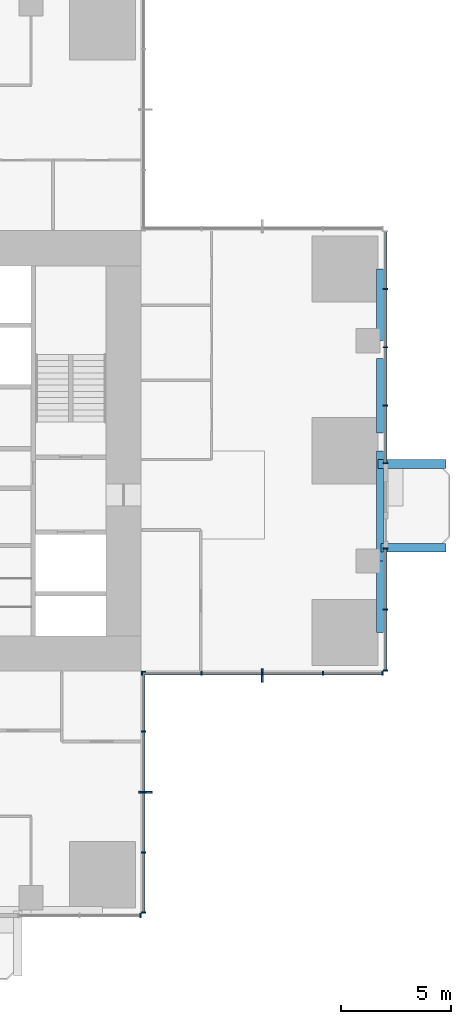
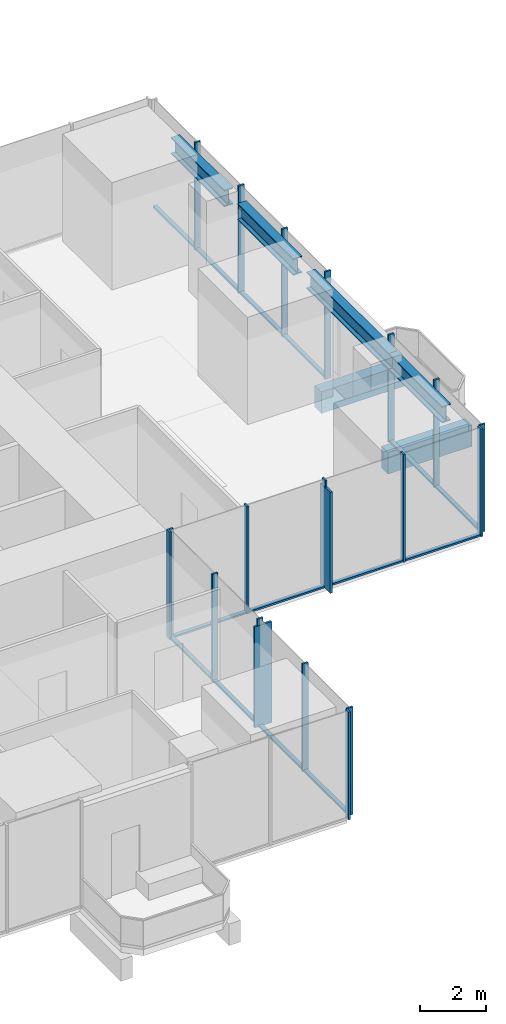
# One storey, part 4 of 13: 34 members, 6 beams, 5 elements without a shape of their own.
"""IFC4 building model written with IfcOpenShell, lengths in metres."""

import ifcopenshell
import ifcopenshell.guid

model = None  # the IFC model being written
_history = None  # IfcOwnerHistory: only IFC2X3 demands one
_inside = {}  # id of a spatial element -> (the spatial element, [elements in it])
_under = {}  # id of a project, library or spatial element -> (it, [spatial elements below it])
_declared = {}  # id of a project -> (the project, [libraries it declares])
_typed = {}  # id of a type object -> (the type object, [elements of that type])
_made_of = {}  # id of a material, layer set ... -> (it, [elements and type objects made of it])


def new_model(schema):
    """Start an empty IFC model of exactly this schema.

    Asked for "IFC4X3", IfcOpenShell would pick the latest addendum, in which some entities
    have other attributes; the version numbers below select the first issue.
    IFC2X3 requires an IfcOwnerHistory on every rooted entity: one is made here for all.
    """
    global model, _history
    if schema == "IFC4X3":
        model = ifcopenshell.file(schema_version=(4, 3, 0, 0))
    else:
        model = ifcopenshell.file(schema=schema)
    _inside.clear()
    _under.clear()
    _declared.clear()
    _typed.clear()
    _made_of.clear()
    _history = None
    if model.schema == "IFC2X3":
        org = make("IfcOrganization", Name="unknown")
        user = make(
            "IfcPersonAndOrganization",
            ThePerson=make("IfcPerson", FamilyName="unknown"),
            TheOrganization=org,
        )
        app = make(
            "IfcApplication",
            ApplicationDeveloper=org,
            Version="unknown",
            ApplicationFullName="unknown",
            ApplicationIdentifier="unknown",
        )
        _history = make(
            "IfcOwnerHistory",
            OwningUser=user,
            OwningApplication=app,
            ChangeAction="ADDED",
            CreationDate=0,
        )
    return model


def make(cls, **values):
    """One entity of the class cls with the attributes given. An attribute that is None is left unset."""
    return model.create_entity(
        cls, **{name: value for name, value in values.items() if value is not None}
    )


def rooted(cls, **values):
    """An entity with a GlobalId (a new one), such as an element, a storey or a relation."""
    return make(cls, GlobalId=ifcopenshell.guid.new(), OwnerHistory=_history, **values)


def si_unit(unit_type, name, prefix=None):
    """IfcSIUnit, for example si_unit("LENGTHUNIT", "METRE", prefix="MILLI")."""
    return make("IfcSIUnit", UnitType=unit_type, Prefix=prefix, Name=name)


def assignment(units):
    """IfcUnitAssignment: the units of a project."""
    return None if units is None else make("IfcUnitAssignment", Units=units)


def point(xyz):
    """IfcCartesianPoint."""
    return None if xyz is None else make("IfcCartesianPoint", Coordinates=xyz)


def direction(xyz):
    """IfcDirection."""
    return None if xyz is None else make("IfcDirection", DirectionRatios=xyz)


def frame(location, z_axis=None, x_axis=None):
    """IfcAxis2Placement3D, a coordinate frame: its origin and axes. An axis left out is left unset."""
    return make(
        "IfcAxis2Placement3D",
        Location=point(location),
        Axis=direction(z_axis),
        RefDirection=direction(x_axis),
    )


def frame_2d(location, x_axis=None):
    """IfcAxis2Placement2D, a coordinate frame in the plane: its origin and x axis."""
    return make(
        "IfcAxis2Placement2D", Location=point(location), RefDirection=direction(x_axis)
    )


def origin():
    """The frame at (0, 0, 0) with its axes left unset."""
    return frame((0.0, 0.0, 0.0))


def origin_2d():
    """The frame at (0, 0) in the plane with its x axis left unset."""
    return frame_2d((0.0, 0.0))


def place(relative_to, where):
    """IfcLocalPlacement: puts the frame where relative to a parent placement (None: the world)."""
    return make(
        "IfcLocalPlacement", PlacementRelTo=relative_to, RelativePlacement=where
    )


def context(
    kind, dimensions, precision=None, world=None, true_north=None, identifier=None
):
    """IfcGeometricRepresentationContext, for example the 3D "Model" context."""
    return make(
        "IfcGeometricRepresentationContext",
        ContextIdentifier=identifier,
        ContextType=kind,
        CoordinateSpaceDimension=dimensions,
        Precision=precision,
        WorldCoordinateSystem=world,
        TrueNorth=true_north,
    )


def subcontext(parent, identifier, kind, view, scale=None):
    """IfcGeometricRepresentationSubContext, for example "Body" below "Model"."""
    return make(
        "IfcGeometricRepresentationSubContext",
        ContextIdentifier=identifier,
        ContextType=kind,
        ParentContext=parent,
        TargetScale=scale,
        TargetView=view,
    )


def project(units=None, contexts=None):
    """IfcProject with its units and contexts."""
    return rooted(
        "IfcProject",
        Name="project",
        RepresentationContexts=contexts,
        UnitsInContext=assignment(units),
    )


def spatial(cls, under=None, at=None, **own):
    """A site, building, storey or space (cls), placed at a placement, below another one or the project."""
    s = rooted(cls, ObjectPlacement=at, **own)
    if under is not None:
        _under.setdefault(under.id(), (under, []))[1].append(s)
    return s


def profile(cls, at=None, kind="AREA", **sizes):
    """A parametric profile (cls). Its sizes go by their IFC names, for example OverallWidth=200.0."""
    return make(cls, ProfileType=kind, Position=at, **sizes)


def rectangle(**sizes):
    """IfcRectangleProfileDef."""
    return profile("IfcRectangleProfileDef", **sizes)


def i_section(**sizes):
    """IfcIShapeProfileDef."""
    return profile("IfcIShapeProfileDef", **sizes)


def extrude(swept, where, along, depth):
    """IfcExtrudedAreaSolid: the profile swept, set in the frame where, extruded along a direction by depth."""
    return make(
        "IfcExtrudedAreaSolid",
        SweptArea=swept,
        Position=where,
        ExtrudedDirection=direction(along),
        Depth=depth,
    )


def shape(context_of_items, identifier, shape_type, items):
    """IfcShapeRepresentation: the items that make up one representation, for example the "Body"."""
    return make(
        "IfcShapeRepresentation",
        ContextOfItems=context_of_items,
        RepresentationIdentifier=identifier,
        RepresentationType=shape_type,
        Items=items,
    )


def material(Name=None, Category=None):
    """IfcMaterial."""
    return make("IfcMaterial", Name=Name, Category=Category)


def material_profile(
    of_material, cross_section, Name=None, Category=None, Priority=None
):
    """IfcMaterialProfile: a cross section and its material."""
    return make(
        "IfcMaterialProfile",
        Name=Name,
        Material=of_material,
        Profile=cross_section,
        Priority=Priority,
        Category=Category,
    )


def profile_set(profiles, Name=None, composite=None):
    """IfcMaterialProfileSet."""
    return make(
        "IfcMaterialProfileSet",
        Name=Name,
        MaterialProfiles=profiles,
        CompositeProfile=composite,
    )


def made_of(thing, what):
    """Note that an element or type object is made of a material, layer set ...; save() writes the relation."""
    if what is not None:
        _made_of.setdefault(what.id(), (what, []))[1].append(thing)
    return thing


def type_object(cls, material=None, **own):
    """A type object (cls), such as IfcWallType, which elements share."""
    return made_of(rooted(cls, **own), material)


def element(
    cls,
    number,
    at=None,
    inside=None,
    cuts=None,
    type_object=None,
    material=None,
    context=None,
    identifier="Body",
    shape_type=None,
    held_by="IfcProductDefinitionShape",
    body=None,
    shapes=None,
    **own,
):
    """One element of the class cls, such as IfcWall. Its Tag is "e" and its number.

    at: its placement. inside: the storey or other place that contains it. cuts: it is an
    opening in that element (IfcRelVoidsElement). A single representation is given by context,
    identifier, shape_type and body (its items); several are given by shapes. held_by: the class
    of the entity that holds the representations. save() writes the other relations.
    """
    e = rooted(cls, Tag="e%d" % number, ObjectPlacement=at, **own)
    if body is not None:
        shapes = [shape(context, identifier, shape_type, body)]
    if shapes is not None:
        e.Representation = make(held_by, Representations=shapes)
    if inside is not None:
        _inside.setdefault(inside.id(), (inside, []))[1].append(e)
    if cuts is not None:
        rooted(
            "IfcRelVoidsElement", RelatingBuildingElement=cuts, RelatedOpeningElement=e
        )
    if type_object is not None:
        _typed.setdefault(type_object.id(), (type_object, []))[1].append(e)
    return made_of(e, material)


def aggregate(whole, parts):
    """IfcRelAggregates: a whole, such as a stair, and the parts it consists of."""
    return rooted("IfcRelAggregates", RelatingObject=whole, RelatedObjects=parts)


def save(model, path):
    """Write the relations noted so far, then the file.

    IfcRelAggregates (storeys below a building ...), IfcRelContainedInSpatialStructure (elements
    in a storey), IfcRelDefinesByType, IfcRelAssociatesMaterial and IfcRelDeclares: one each for
    every whole, place, type object, material and project.
    """
    for whole, parts in _under.values():
        aggregate(whole, parts)
    for where, things in _inside.values():
        rooted(
            "IfcRelContainedInSpatialStructure",
            RelatedElements=things,
            RelatingStructure=where,
        )
    for kind, things in _typed.values():
        rooted("IfcRelDefinesByType", RelatedObjects=things, RelatingType=kind)
    for what, things in _made_of.values():
        rooted("IfcRelAssociatesMaterial", RelatedObjects=things, RelatingMaterial=what)
    for by, libraries in _declared.values():
        rooted("IfcRelDeclares", RelatingContext=by, RelatedDefinitions=libraries)
    model.write(path)


model = new_model("IFC4")

# Units and contexts
model_context = context("Model", 3, precision=1e-05, world=origin(), true_north=direction((0.0, 1.0)))
body_context = subcontext(model_context, "Body", "Model", "MODEL_VIEW")
ifc_project = project(units=[si_unit("LENGTHUNIT", "METRE"), si_unit("AREAUNIT", "SQUARE_METRE"), si_unit("VOLUMEUNIT", "CUBIC_METRE"), si_unit("PLANEANGLEUNIT", "RADIAN"), si_unit("MASSUNIT", "GRAM", prefix="KILO")], contexts=[model_context])

# Site, building, storey
site_placement = place(None, origin())
site = spatial("IfcSite", under=ifc_project, at=site_placement, CompositionType="ELEMENT")
building_placement = place(site_placement, origin())
building = spatial("IfcBuilding", under=site, at=building_placement, Name="Svetlomir Tower", CompositionType="ELEMENT")
storey_placement = place(building_placement, frame((0.0, 0.0, 128.5)))
storey = spatial("IfcBuildingStorey", under=building, at=storey_placement, Name="L30", CompositionType="ELEMENT", Elevation=128.5)

# Beams
ifc_material_1 = material(Name="Concrete C60/75", Category="concrete")
ifc_material_profile_1 = material_profile(ifc_material_1, rectangle(XDim=0.39990234375, YDim=0.800048828125, at=origin_2d()), Name="RC 400x800")
ifc_profile_set_1 = profile_set([ifc_material_profile_1], Name="Concrete C60/75")
beam_type_1 = type_object("IfcBeamType", Name="BALCONY RIB RC 400x800", PredefinedType="BEAM", material=ifc_profile_set_1)
beam_1_placement = place(storey_placement, frame((41.89990234375, 16.60009765625, -0.64990234375), z_axis=(1.0, 0.0, 0.0), x_axis=(0.0, 1.0, 0.0)))
element("IfcBeam", 1, at=beam_1_placement, inside=storey, type_object=beam_type_1, Name="Balcony rib E 1 L30", PredefinedType="BEAM", context=body_context, shape_type="SweptSolid", body=[
    extrude(rectangle(XDim=0.39990234375, YDim=0.800048828125, at=origin_2d()), origin(), (0.0, 0.0, 1.0), 2.9501953125),
])
beam_2_placement = place(storey_placement, frame((41.75, 20.39990234375, -0.64990234375), z_axis=(1.0, 0.0, 0.0), x_axis=(0.0, 1.0, 0.0)))
element("IfcBeam", 2, at=beam_2_placement, inside=storey, type_object=beam_type_1, Name="Balcony rib E 2 L30", PredefinedType="BEAM", context=body_context, shape_type="SweptSolid", body=[
    extrude(rectangle(XDim=0.39990234375, YDim=0.800048828125, at=origin_2d()), origin(), (0.0, 0.0, 1.0), 3.10009765625),
])

# Curtain wall, member
ifc_material_2 = material(Name="Bronze anodised aluminium curtain wall", Category="aluminium")
curtain_wall_type = type_object("IfcCurtainWallType", Name="CURTAIN WALL CW1 TOWER OFFICE", PredefinedType="NOTDEFINED", material=ifc_material_2)
curtain_wall_1_placement = place(storey_placement, origin())
curtain_wall_1 = element("IfcCurtainWall", 3, at=curtain_wall_1_placement, inside=storey, type_object=curtain_wall_type, Name="Curtain wall CW1 L30", PredefinedType="NOTDEFINED")
ifc_material_3 = material(Name="Bronze anodised aluminium", Category="aluminium")
ifc_material_profile_2 = material_profile(ifc_material_3, rectangle(XDim=0.080078125, YDim=0.60009765625, at=origin_2d()), Name="FIN 80x600")
ifc_profile_set_2 = profile_set([ifc_material_profile_2], Name="Bronze anodised aluminium 6063-T6")
member_type_1 = type_object("IfcMemberType", Name="BRONZE FIN 80x600", PredefinedType="USERDEFINED", material=ifc_profile_set_2)
member_1_placement = place(storey_placement, frame((31.199951171875, 5.5, 0.0), z_axis=(0.0, 0.0, 1.0), x_axis=(0.0, 1.0, 0.0)))
member_1 = element("IfcMember", 4, at=member_1_placement, type_object=member_type_1, Name="Bronze fin L30", ObjectType="FIN", PredefinedType="USERDEFINED", context=body_context, shape_type="SweptSolid", body=[
    extrude(rectangle(XDim=0.080078125, YDim=0.60009765625, at=origin_2d()), origin(), (0.0, 0.0, 1.0), 3.75),
])

curtain_wall_2_placement = place(storey_placement, origin())
curtain_wall_2 = element("IfcCurtainWall", 5, at=curtain_wall_2_placement, inside=storey, type_object=curtain_wall_type, Name="Curtain wall CW1 L30", PredefinedType="NOTDEFINED")
member_2_placement = place(storey_placement, frame((36.5, 10.800048828125, 0.0), z_axis=(0.0, 0.0, 1.0), x_axis=(1.0, 0.0, 0.0)))
member_2 = element("IfcMember", 6, at=member_2_placement, type_object=member_type_1, Name="Bronze fin L30", ObjectType="FIN", PredefinedType="USERDEFINED", context=body_context, shape_type="SweptSolid", body=[
    extrude(rectangle(XDim=0.080078125, YDim=0.60009765625, at=origin_2d()), origin(), (0.0, 0.0, 1.0), 3.75),
])

curtain_wall_3_placement = place(storey_placement, origin())
curtain_wall_3 = element("IfcCurtainWall", 7, at=curtain_wall_3_placement, inside=storey, type_object=curtain_wall_type, Name="Curtain wall CW1 L30", PredefinedType="NOTDEFINED")
ifc_material_4 = material(Name="Bronze anodised aluminium", Category="aluminium")
ifc_material_profile_3 = material_profile(ifc_material_4, rectangle(XDim=0.06494140625, YDim=0.199951171875, at=origin_2d()), Name="AL 65x200")
ifc_profile_set_3 = profile_set([ifc_material_profile_3], Name="Bronze anodised aluminium 6063-T6")
member_type_2 = type_object("IfcMemberType", Name="CW1 MULLION 65x200", PredefinedType="MULLION", material=ifc_profile_set_3)
member_3_placement = place(storey_placement, frame((30.967529296875, -0.10009765625, 0.0), z_axis=(0.0, 0.0, 1.0), x_axis=(1.0, 0.0, 0.0)))
member_3 = element("IfcMember", 8, at=member_3_placement, type_object=member_type_2, Name="CW1 mullion 3", PredefinedType="MULLION", context=body_context, shape_type="SweptSolid", body=[
    extrude(rectangle(XDim=0.06494140625, YDim=0.199951171875, at=origin_2d()), origin(), (0.0, 0.0, 1.0), 4.0),
])
aggregate(curtain_wall_3, [member_3])

# Member
member_4_placement = place(storey_placement, frame((31.10009765625, 0.032470703125, 0.0), z_axis=(0.0, 0.0, 1.0), x_axis=(0.0, 1.0, 0.0)))
member_4 = element("IfcMember", 9, at=member_4_placement, type_object=member_type_2, Name="CW1 mullion 1", PredefinedType="MULLION", context=body_context, shape_type="SweptSolid", body=[
    extrude(rectangle(XDim=0.06494140625, YDim=0.199951171875, at=origin_2d()), origin(), (0.0, 0.0, 1.0), 4.0),
])

member_5_placement = place(storey_placement, frame((31.10009765625, 2.75, 0.0), z_axis=(0.0, 0.0, 1.0), x_axis=(0.0, 1.0, 0.0)))
member_5 = element("IfcMember", 10, at=member_5_placement, type_object=member_type_2, Name="CW1 mullion 2", PredefinedType="MULLION", context=body_context, shape_type="SweptSolid", body=[
    extrude(rectangle(XDim=0.06494140625, YDim=0.199951171875, at=origin_2d()), origin(), (0.0, 0.0, 1.0), 4.0),
])

member_6_placement = place(storey_placement, frame((31.10009765625, 5.5, 0.0), z_axis=(0.0, 0.0, 1.0), x_axis=(0.0, 1.0, 0.0)))
member_6 = element("IfcMember", 11, at=member_6_placement, type_object=member_type_2, Name="CW1 mullion 3", PredefinedType="MULLION", context=body_context, shape_type="SweptSolid", body=[
    extrude(rectangle(XDim=0.06494140625, YDim=0.199951171875, at=origin_2d()), origin(), (0.0, 0.0, 1.0), 4.0),
])

member_7_placement = place(storey_placement, frame((31.10009765625, 8.25, 0.0), z_axis=(0.0, 0.0, 1.0), x_axis=(0.0, 1.0, 0.0)))
member_7 = element("IfcMember", 12, at=member_7_placement, type_object=member_type_2, Name="CW1 mullion 4", PredefinedType="MULLION", context=body_context, shape_type="SweptSolid", body=[
    extrude(rectangle(XDim=0.06494140625, YDim=0.199951171875, at=origin_2d()), origin(), (0.0, 0.0, 1.0), 4.0),
])

member_8_placement = place(storey_placement, frame((31.10009765625, 10.967529296875, 0.0), z_axis=(0.0, 0.0, 1.0), x_axis=(0.0, 1.0, 0.0)))
member_8 = element("IfcMember", 13, at=member_8_placement, type_object=member_type_2, Name="CW1 mullion 5", PredefinedType="MULLION", context=body_context, shape_type="SweptSolid", body=[
    extrude(rectangle(XDim=0.06494140625, YDim=0.199951171875, at=origin_2d()), origin(), (0.0, 0.0, 1.0), 4.0),
])

member_9_placement = place(storey_placement, frame((31.032470703125, 10.89990234375, 0.0), z_axis=(0.0, 0.0, 1.0), x_axis=(1.0, 0.0, 0.0)))
member_9 = element("IfcMember", 14, at=member_9_placement, type_object=member_type_2, Name="CW1 mullion 1", PredefinedType="MULLION", context=body_context, shape_type="SweptSolid", body=[
    extrude(rectangle(XDim=0.06494140625, YDim=0.199951171875, at=origin_2d()), origin(), (0.0, 0.0, 1.0), 4.0),
])

member_10_placement = place(storey_placement, frame((33.75, 10.89990234375, 0.0), z_axis=(0.0, 0.0, 1.0), x_axis=(1.0, 0.0, 0.0)))
member_10 = element("IfcMember", 15, at=member_10_placement, type_object=member_type_2, Name="CW1 mullion 2", PredefinedType="MULLION", context=body_context, shape_type="SweptSolid", body=[
    extrude(rectangle(XDim=0.06494140625, YDim=0.199951171875, at=origin_2d()), origin(), (0.0, 0.0, 1.0), 4.0),
])

member_11_placement = place(storey_placement, frame((36.5, 10.89990234375, 0.0), z_axis=(0.0, 0.0, 1.0), x_axis=(1.0, 0.0, 0.0)))
member_11 = element("IfcMember", 16, at=member_11_placement, type_object=member_type_2, Name="CW1 mullion 3", PredefinedType="MULLION", context=body_context, shape_type="SweptSolid", body=[
    extrude(rectangle(XDim=0.06494140625, YDim=0.199951171875, at=origin_2d()), origin(), (0.0, 0.0, 1.0), 4.0),
])

member_12_placement = place(storey_placement, frame((39.25, 10.89990234375, 0.0), z_axis=(0.0, 0.0, 1.0), x_axis=(1.0, 0.0, 0.0)))
member_12 = element("IfcMember", 17, at=member_12_placement, type_object=member_type_2, Name="CW1 mullion 4", PredefinedType="MULLION", context=body_context, shape_type="SweptSolid", body=[
    extrude(rectangle(XDim=0.06494140625, YDim=0.199951171875, at=origin_2d()), origin(), (0.0, 0.0, 1.0), 4.0),
])

member_13_placement = place(storey_placement, frame((41.967529296875, 10.89990234375, 0.0), z_axis=(0.0, 0.0, 1.0), x_axis=(1.0, 0.0, 0.0)))
member_13 = element("IfcMember", 18, at=member_13_placement, type_object=member_type_2, Name="CW1 mullion 5", PredefinedType="MULLION", context=body_context, shape_type="SweptSolid", body=[
    extrude(rectangle(XDim=0.06494140625, YDim=0.199951171875, at=origin_2d()), origin(), (0.0, 0.0, 1.0), 4.0),
])

# Curtain wall, members
curtain_wall_4_placement = place(storey_placement, origin())
curtain_wall_4 = element("IfcCurtainWall", 19, at=curtain_wall_4_placement, inside=storey, type_object=curtain_wall_type, Name="Curtain wall CW1 L30", PredefinedType="NOTDEFINED")
member_14_placement = place(storey_placement, frame((42.10009765625, 11.032470703125, 0.0), z_axis=(0.0, 0.0, 1.0), x_axis=(0.0, 1.0, 0.0)))
member_14 = element("IfcMember", 20, at=member_14_placement, type_object=member_type_2, Name="CW1 mullion 1", PredefinedType="MULLION", context=body_context, shape_type="SweptSolid", body=[
    extrude(rectangle(XDim=0.06494140625, YDim=0.199951171875, at=origin_2d()), origin(), (0.0, 0.0, 1.0), 4.0),
])
member_15_placement = place(storey_placement, frame((42.10009765625, 13.800048828125, 0.0), z_axis=(0.0, 0.0, 1.0), x_axis=(0.0, 1.0, 0.0)))
member_15 = element("IfcMember", 21, at=member_15_placement, type_object=member_type_2, Name="CW1 mullion 2", PredefinedType="MULLION", context=body_context, shape_type="SweptSolid", body=[
    extrude(rectangle(XDim=0.06494140625, YDim=0.199951171875, at=origin_2d()), origin(), (0.0, 0.0, 1.0), 4.0),
])
member_16_placement = place(storey_placement, frame((42.10009765625, 16.5673828125, 0.0), z_axis=(0.0, 0.0, 1.0), x_axis=(0.0, 1.0, 0.0)))
member_16 = element("IfcMember", 22, at=member_16_placement, type_object=member_type_2, Name="CW1 mullion 3", PredefinedType="MULLION", context=body_context, shape_type="SweptSolid", body=[
    extrude(rectangle(XDim=0.06494140625, YDim=0.199951171875, at=origin_2d()), origin(), (0.0, 0.0, 1.0), 4.0),
])

curtain_wall_5_placement = place(storey_placement, origin())
curtain_wall_5 = element("IfcCurtainWall", 23, at=curtain_wall_5_placement, inside=storey, type_object=curtain_wall_type, Name="Curtain wall CW1 L30", PredefinedType="NOTDEFINED")
member_17_placement = place(storey_placement, frame((42.10009765625, 20.4326171875, 0.0), z_axis=(0.0, 0.0, 1.0), x_axis=(0.0, 1.0, 0.0)))
member_17 = element("IfcMember", 24, at=member_17_placement, type_object=member_type_2, Name="CW1 mullion 1", PredefinedType="MULLION", context=body_context, shape_type="SweptSolid", body=[
    extrude(rectangle(XDim=0.06494140625, YDim=0.199951171875, at=origin_2d()), origin(), (0.0, 0.0, 1.0), 4.0),
])
member_18_placement = place(storey_placement, frame((42.10009765625, 23.050048828125, 0.0), z_axis=(0.0, 0.0, 1.0), x_axis=(0.0, 1.0, 0.0)))
member_18 = element("IfcMember", 25, at=member_18_placement, type_object=member_type_2, Name="CW1 mullion 2", PredefinedType="MULLION", context=body_context, shape_type="SweptSolid", body=[
    extrude(rectangle(XDim=0.06494140625, YDim=0.199951171875, at=origin_2d()), origin(), (0.0, 0.0, 1.0), 4.0),
])
member_19_placement = place(storey_placement, frame((42.10009765625, 25.699951171875, 0.0), z_axis=(0.0, 0.0, 1.0), x_axis=(0.0, 1.0, 0.0)))
member_19 = element("IfcMember", 26, at=member_19_placement, type_object=member_type_2, Name="CW1 mullion 3", PredefinedType="MULLION", context=body_context, shape_type="SweptSolid", body=[
    extrude(rectangle(XDim=0.06494140625, YDim=0.199951171875, at=origin_2d()), origin(), (0.0, 0.0, 1.0), 4.0),
])
member_20_placement = place(storey_placement, frame((42.10009765625, 28.35009765625, 0.0), z_axis=(0.0, 0.0, 1.0), x_axis=(0.0, 1.0, 0.0)))
member_20 = element("IfcMember", 27, at=member_20_placement, type_object=member_type_2, Name="CW1 mullion 4", PredefinedType="MULLION", context=body_context, shape_type="SweptSolid", body=[
    extrude(rectangle(XDim=0.06494140625, YDim=0.199951171875, at=origin_2d()), origin(), (0.0, 0.0, 1.0), 4.0),
])

# Member
ifc_material_5 = material(Name="Bronze anodised aluminium", Category="aluminium")
ifc_material_profile_4 = material_profile(ifc_material_5, rectangle(XDim=0.139892578125, YDim=0.06494140625, at=origin_2d()), Name="AL 140x65")
ifc_profile_set_4 = profile_set([ifc_material_profile_4], Name="Bronze anodised aluminium 6063-T6")
member_type_3 = type_object("IfcMemberType", Name="CW1 TRANSOM 65x140", PredefinedType="USERDEFINED", material=ifc_profile_set_4)
member_21_placement = place(storey_placement, frame((31.10009765625, 0.06494140625, 0.032470703125), z_axis=(0.0, 1.0, 0.0), x_axis=(-1.0, 0.0, 0.0)))
member_21 = element("IfcMember", 28, at=member_21_placement, type_object=member_type_3, Name="CW1 transom 1.1", ObjectType="TRANSOM", PredefinedType="USERDEFINED", context=body_context, shape_type="SweptSolid", body=[
    extrude(rectangle(XDim=0.139892578125, YDim=0.06494140625, at=origin_2d()), origin(), (0.0, 0.0, 1.0), 2.652587890625),
])

member_22_placement = place(storey_placement, frame((31.10009765625, 2.782470703125, 0.032470703125), z_axis=(0.0, 1.0, 0.0), x_axis=(-1.0, 0.0, 0.0)))
member_22 = element("IfcMember", 29, at=member_22_placement, type_object=member_type_3, Name="CW1 transom 2.1", ObjectType="TRANSOM", PredefinedType="USERDEFINED", context=body_context, shape_type="SweptSolid", body=[
    extrude(rectangle(XDim=0.139892578125, YDim=0.06494140625, at=origin_2d()), origin(), (0.0, 0.0, 1.0), 2.68505859375),
])

member_23_placement = place(storey_placement, frame((31.10009765625, 5.532470703125, 0.032470703125), z_axis=(0.0, 1.0, 0.0), x_axis=(-1.0, 0.0, 0.0)))
member_23 = element("IfcMember", 30, at=member_23_placement, type_object=member_type_3, Name="CW1 transom 3.1", ObjectType="TRANSOM", PredefinedType="USERDEFINED", context=body_context, shape_type="SweptSolid", body=[
    extrude(rectangle(XDim=0.139892578125, YDim=0.06494140625, at=origin_2d()), origin(), (0.0, 0.0, 1.0), 2.68505859375),
])

member_24_placement = place(storey_placement, frame((31.10009765625, 8.282470703125, 0.032470703125), z_axis=(0.0, 1.0, 0.0), x_axis=(-1.0, 0.0, 0.0)))
member_24 = element("IfcMember", 31, at=member_24_placement, type_object=member_type_3, Name="CW1 transom 4.1", ObjectType="TRANSOM", PredefinedType="USERDEFINED", context=body_context, shape_type="SweptSolid", body=[
    extrude(rectangle(XDim=0.139892578125, YDim=0.06494140625, at=origin_2d()), origin(), (0.0, 0.0, 1.0), 2.652587890625),
])

aggregate(curtain_wall_1, [member_4, member_5, member_6, member_7, member_8, member_21, member_22, member_23, member_24, member_1])

member_25_placement = place(storey_placement, frame((31.06494140625, 10.89990234375, 0.032470703125), z_axis=(1.0, 0.0, 0.0), x_axis=(0.0, 1.0, 0.0)))
member_25 = element("IfcMember", 32, at=member_25_placement, type_object=member_type_3, Name="CW1 transom 1.1", ObjectType="TRANSOM", PredefinedType="USERDEFINED", context=body_context, shape_type="SweptSolid", body=[
    extrude(rectangle(XDim=0.139892578125, YDim=0.06494140625, at=origin_2d()), origin(), (0.0, 0.0, 1.0), 2.652587890625),
])

member_26_placement = place(storey_placement, frame((33.782470703125, 10.89990234375, 0.032470703125), z_axis=(1.0, 0.0, 0.0), x_axis=(0.0, 1.0, 0.0)))
member_26 = element("IfcMember", 33, at=member_26_placement, type_object=member_type_3, Name="CW1 transom 2.1", ObjectType="TRANSOM", PredefinedType="USERDEFINED", context=body_context, shape_type="SweptSolid", body=[
    extrude(rectangle(XDim=0.139892578125, YDim=0.06494140625, at=origin_2d()), origin(), (0.0, 0.0, 1.0), 2.68505859375),
])

member_27_placement = place(storey_placement, frame((36.532470703125, 10.89990234375, 0.032470703125), z_axis=(1.0, 0.0, 0.0), x_axis=(0.0, 1.0, 0.0)))
member_27 = element("IfcMember", 34, at=member_27_placement, type_object=member_type_3, Name="CW1 transom 3.1", ObjectType="TRANSOM", PredefinedType="USERDEFINED", context=body_context, shape_type="SweptSolid", body=[
    extrude(rectangle(XDim=0.139892578125, YDim=0.06494140625, at=origin_2d()), origin(), (0.0, 0.0, 1.0), 2.68505859375),
])

member_28_placement = place(storey_placement, frame((39.282470703125, 10.89990234375, 0.032470703125), z_axis=(1.0, 0.0, 0.0), x_axis=(0.0, 1.0, 0.0)))
member_28 = element("IfcMember", 35, at=member_28_placement, type_object=member_type_3, Name="CW1 transom 4.1", ObjectType="TRANSOM", PredefinedType="USERDEFINED", context=body_context, shape_type="SweptSolid", body=[
    extrude(rectangle(XDim=0.139892578125, YDim=0.06494140625, at=origin_2d()), origin(), (0.0, 0.0, 1.0), 2.652587890625),
])

aggregate(curtain_wall_2, [member_9, member_10, member_11, member_12, member_13, member_25, member_26, member_27, member_28, member_2])

member_29_placement = place(storey_placement, frame((42.10009765625, 11.06494140625, 0.032470703125), z_axis=(0.0, 1.0, 0.0), x_axis=(-1.0, 0.0, 0.0)))
member_29 = element("IfcMember", 36, at=member_29_placement, type_object=member_type_3, Name="CW1 transom 1.1", ObjectType="TRANSOM", PredefinedType="USERDEFINED", context=body_context, shape_type="SweptSolid", body=[
    extrude(rectangle(XDim=0.139892578125, YDim=0.06494140625, at=origin_2d()), origin(), (0.0, 0.0, 1.0), 2.70263671875),
])

member_30_placement = place(storey_placement, frame((42.10009765625, 13.83251953125, 0.032470703125), z_axis=(0.0, 1.0, 0.0), x_axis=(-1.0, 0.0, 0.0)))
member_30 = element("IfcMember", 37, at=member_30_placement, type_object=member_type_3, Name="CW1 transom 2.1", ObjectType="TRANSOM", PredefinedType="USERDEFINED", context=body_context, shape_type="SweptSolid", body=[
    extrude(rectangle(XDim=0.139892578125, YDim=0.06494140625, at=origin_2d()), origin(), (0.0, 0.0, 1.0), 2.702392578125),
])

aggregate(curtain_wall_4, [member_14, member_15, member_16, member_29, member_30])

member_31_placement = place(storey_placement, frame((42.10009765625, 20.465087890625, 0.032470703125), z_axis=(0.0, 1.0, 0.0), x_axis=(-1.0, 0.0, 0.0)))
member_31 = element("IfcMember", 38, at=member_31_placement, type_object=member_type_3, Name="CW1 transom 1.1", ObjectType="TRANSOM", PredefinedType="USERDEFINED", context=body_context, shape_type="SweptSolid", body=[
    extrude(rectangle(XDim=0.139892578125, YDim=0.06494140625, at=origin_2d()), origin(), (0.0, 0.0, 1.0), 2.552490234375),
])

member_32_placement = place(storey_placement, frame((42.10009765625, 23.08251953125, 0.032470703125), z_axis=(0.0, 1.0, 0.0), x_axis=(-1.0, 0.0, 0.0)))
member_32 = element("IfcMember", 39, at=member_32_placement, type_object=member_type_3, Name="CW1 transom 2.1", ObjectType="TRANSOM", PredefinedType="USERDEFINED", context=body_context, shape_type="SweptSolid", body=[
    extrude(rectangle(XDim=0.139892578125, YDim=0.06494140625, at=origin_2d()), origin(), (0.0, 0.0, 1.0), 2.5849609375),
])

member_33_placement = place(storey_placement, frame((42.10009765625, 25.732421875, 0.032470703125), z_axis=(0.0, 1.0, 0.0), x_axis=(-1.0, 0.0, 0.0)))
member_33 = element("IfcMember", 40, at=member_33_placement, type_object=member_type_3, Name="CW1 transom 3.1", ObjectType="TRANSOM", PredefinedType="USERDEFINED", context=body_context, shape_type="SweptSolid", body=[
    extrude(rectangle(XDim=0.139892578125, YDim=0.06494140625, at=origin_2d()), origin(), (0.0, 0.0, 1.0), 2.5849609375),
])

member_34_placement = place(storey_placement, frame((42.10009765625, 28.382568359375, 0.032470703125), z_axis=(0.0, 1.0, 0.0), x_axis=(-1.0, 0.0, 0.0)))
member_34 = element("IfcMember", 41, at=member_34_placement, type_object=member_type_3, Name="CW1 transom 4.1", ObjectType="TRANSOM", PredefinedType="USERDEFINED", context=body_context, shape_type="SweptSolid", body=[
    extrude(rectangle(XDim=0.139892578125, YDim=0.06494140625, at=origin_2d()), origin(), (0.0, 0.0, 1.0), 2.552490234375),
])

aggregate(curtain_wall_5, [member_17, member_18, member_19, member_20, member_31, member_32, member_33, member_34])

# Beams
ifc_material_6 = material(Name="Steel S355", Category="steel")
ifc_material_profile_5 = material_profile(ifc_material_6, i_section(OverallWidth=0.304931640625, OverallDepth=0.6201171875, WebThickness=0.02099609375, FlangeThickness=0.0400390625, FilletRadius=0.027099609375, at=origin_2d()), Name="HEM 600")
ifc_profile_set_5 = profile_set([ifc_material_profile_5], Name="Steel S355")
beam_type_2 = type_object("IfcBeamType", Name="EDGE BEAM HEM 600", PredefinedType="SPANDREL", material=ifc_profile_set_5)
beam_3_placement = place(storey_placement, frame((41.847412109375, 12.75, 3.43994140625), z_axis=(0.0, 1.0, 0.0), x_axis=(-1.0, 0.0, 0.0)))
element("IfcBeam", 42, at=beam_3_placement, inside=storey, type_object=beam_type_2, Name="Edge beam 42/11 to 42/16 under L31", PredefinedType="SPANDREL", context=body_context, shape_type="SweptSolid", body=[
    extrude(i_section(OverallWidth=0.304931640625, OverallDepth=0.6201171875, WebThickness=0.02099609375, FlangeThickness=0.0400390625, FilletRadius=0.027099609375, at=origin_2d()), origin(), (0.0, 0.0, 1.0), 3.25),
])
beam_4_placement = place(storey_placement, frame((41.847412109375, 16.0, 3.43994140625), z_axis=(0.0, 1.0, 0.0), x_axis=(-1.0, 0.0, 0.0)))
element("IfcBeam", 43, at=beam_4_placement, inside=storey, type_object=beam_type_2, Name="Edge beam 42/16 to 42/21 under L31", PredefinedType="SPANDREL", context=body_context, shape_type="SweptSolid", body=[
    extrude(i_section(OverallWidth=0.304931640625, OverallDepth=0.6201171875, WebThickness=0.02099609375, FlangeThickness=0.0400390625, FilletRadius=0.027099609375, at=origin_2d()), origin(), (0.0, 0.0, 1.0), 5.0),
])
beam_5_placement = place(storey_placement, frame((41.847412109375, 21.800048828125, 3.43994140625), z_axis=(0.0, 1.0, 0.0), x_axis=(-1.0, 0.0, 0.0)))
element("IfcBeam", 44, at=beam_5_placement, inside=storey, type_object=beam_type_2, Name="Edge beam 42/21 to 42/26 under L31", PredefinedType="SPANDREL", context=body_context, shape_type="SweptSolid", body=[
    extrude(i_section(OverallWidth=0.304931640625, OverallDepth=0.6201171875, WebThickness=0.02099609375, FlangeThickness=0.0400390625, FilletRadius=0.027099609375, at=origin_2d()), origin(), (0.0, 0.0, 1.0), 3.39990234375),
])
beam_6_placement = place(storey_placement, frame((41.847412109375, 26.0, 3.43994140625), z_axis=(0.0, 1.0, 0.0), x_axis=(-1.0, 0.0, 0.0)))
element("IfcBeam", 45, at=beam_6_placement, inside=storey, type_object=beam_type_2, Name="Edge beam 42/26 to 42/31 under L31", PredefinedType="SPANDREL", context=body_context, shape_type="SweptSolid", body=[
    extrude(i_section(OverallWidth=0.304931640625, OverallDepth=0.6201171875, WebThickness=0.02099609375, FlangeThickness=0.0400390625, FilletRadius=0.027099609375, at=origin_2d()), origin(), (0.0, 0.0, 1.0), 3.25),
])

save(model, "model.ifc")
